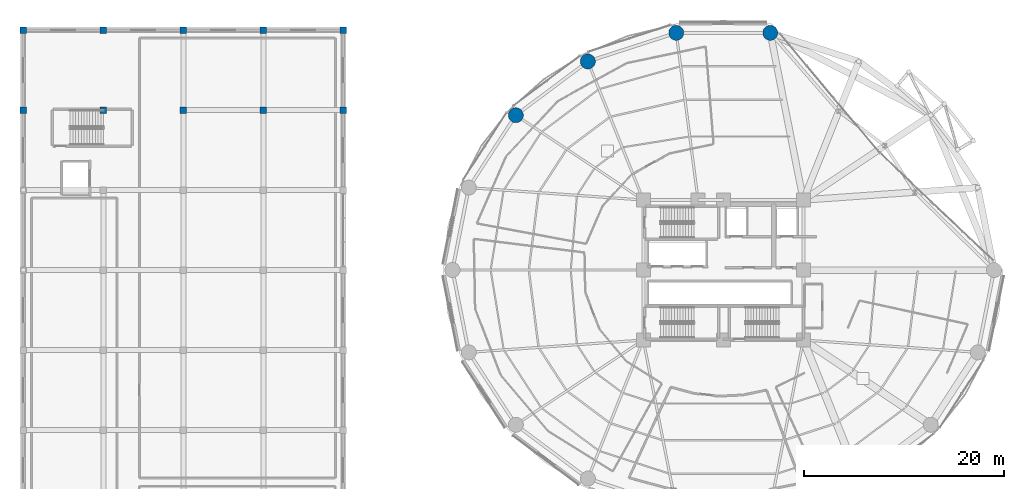
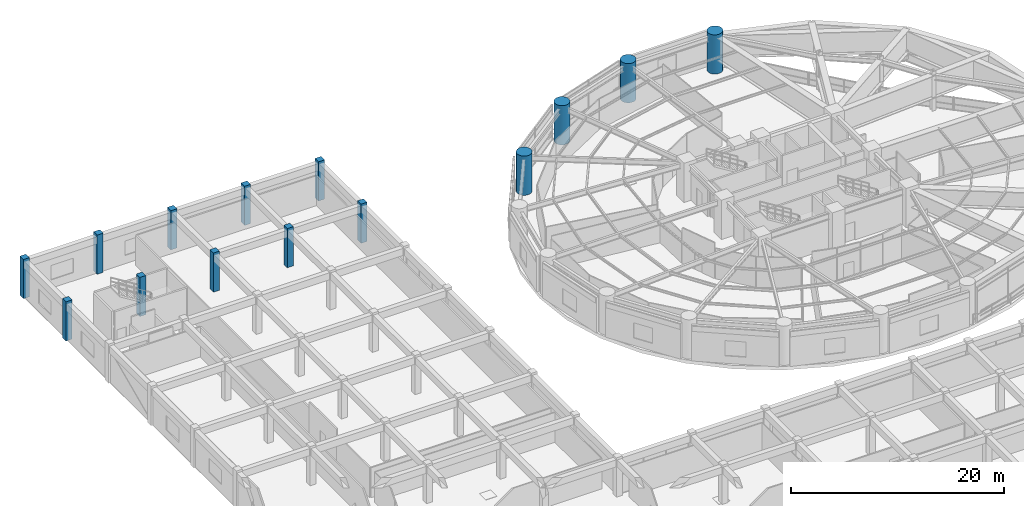
# One storey, part 3 of 52: 14 columns.
"""IFC4 building model written with IfcOpenShell, lengths in metres."""

import ifcopenshell
import ifcopenshell.guid

model = None  # the IFC model being written
_history = None  # IfcOwnerHistory: only IFC2X3 demands one
_inside = {}  # id of a spatial element -> (the spatial element, [elements in it])
_under = {}  # id of a project, library or spatial element -> (it, [spatial elements below it])
_declared = {}  # id of a project -> (the project, [libraries it declares])
_typed = {}  # id of a type object -> (the type object, [elements of that type])
_made_of = {}  # id of a material, layer set ... -> (it, [elements and type objects made of it])


def new_model(schema):
    """Start an empty IFC model of exactly this schema.

    Asked for "IFC4X3", IfcOpenShell would pick the latest addendum, in which some entities
    have other attributes; the version numbers below select the first issue.
    IFC2X3 requires an IfcOwnerHistory on every rooted entity: one is made here for all.
    """
    global model, _history
    if schema == "IFC4X3":
        model = ifcopenshell.file(schema_version=(4, 3, 0, 0))
    else:
        model = ifcopenshell.file(schema=schema)
    _inside.clear()
    _under.clear()
    _declared.clear()
    _typed.clear()
    _made_of.clear()
    _history = None
    if model.schema == "IFC2X3":
        org = make("IfcOrganization", Name="unknown")
        user = make(
            "IfcPersonAndOrganization",
            ThePerson=make("IfcPerson", FamilyName="unknown"),
            TheOrganization=org,
        )
        app = make(
            "IfcApplication",
            ApplicationDeveloper=org,
            Version="unknown",
            ApplicationFullName="unknown",
            ApplicationIdentifier="unknown",
        )
        _history = make(
            "IfcOwnerHistory",
            OwningUser=user,
            OwningApplication=app,
            ChangeAction="ADDED",
            CreationDate=0,
        )
    return model


def make(cls, **values):
    """One entity of the class cls with the attributes given. An attribute that is None is left unset."""
    return model.create_entity(
        cls, **{name: value for name, value in values.items() if value is not None}
    )


def rooted(cls, **values):
    """An entity with a GlobalId (a new one), such as an element, a storey or a relation."""
    return make(cls, GlobalId=ifcopenshell.guid.new(), OwnerHistory=_history, **values)


def si_unit(unit_type, name, prefix=None):
    """IfcSIUnit, for example si_unit("LENGTHUNIT", "METRE", prefix="MILLI")."""
    return make("IfcSIUnit", UnitType=unit_type, Prefix=prefix, Name=name)


def assignment(units):
    """IfcUnitAssignment: the units of a project."""
    return None if units is None else make("IfcUnitAssignment", Units=units)


def point(xyz):
    """IfcCartesianPoint."""
    return None if xyz is None else make("IfcCartesianPoint", Coordinates=xyz)


def direction(xyz):
    """IfcDirection."""
    return None if xyz is None else make("IfcDirection", DirectionRatios=xyz)


def frame(location, z_axis=None, x_axis=None):
    """IfcAxis2Placement3D, a coordinate frame: its origin and axes. An axis left out is left unset."""
    return make(
        "IfcAxis2Placement3D",
        Location=point(location),
        Axis=direction(z_axis),
        RefDirection=direction(x_axis),
    )


def frame_2d(location, x_axis=None):
    """IfcAxis2Placement2D, a coordinate frame in the plane: its origin and x axis."""
    return make(
        "IfcAxis2Placement2D", Location=point(location), RefDirection=direction(x_axis)
    )


def origin():
    """The frame at (0, 0, 0) with its axes left unset."""
    return frame((0.0, 0.0, 0.0))


def origin_2d():
    """The frame at (0, 0) in the plane with its x axis left unset."""
    return frame_2d((0.0, 0.0))


def place(relative_to, where):
    """IfcLocalPlacement: puts the frame where relative to a parent placement (None: the world)."""
    return make(
        "IfcLocalPlacement", PlacementRelTo=relative_to, RelativePlacement=where
    )


def context(
    kind, dimensions, precision=None, world=None, true_north=None, identifier=None
):
    """IfcGeometricRepresentationContext, for example the 3D "Model" context."""
    return make(
        "IfcGeometricRepresentationContext",
        ContextIdentifier=identifier,
        ContextType=kind,
        CoordinateSpaceDimension=dimensions,
        Precision=precision,
        WorldCoordinateSystem=world,
        TrueNorth=true_north,
    )


def subcontext(parent, identifier, kind, view, scale=None):
    """IfcGeometricRepresentationSubContext, for example "Body" below "Model"."""
    return make(
        "IfcGeometricRepresentationSubContext",
        ContextIdentifier=identifier,
        ContextType=kind,
        ParentContext=parent,
        TargetScale=scale,
        TargetView=view,
    )


def project(units=None, contexts=None):
    """IfcProject with its units and contexts."""
    return rooted(
        "IfcProject",
        Name="project",
        RepresentationContexts=contexts,
        UnitsInContext=assignment(units),
    )


def spatial(cls, under=None, at=None, **own):
    """A site, building, storey or space (cls), placed at a placement, below another one or the project."""
    s = rooted(cls, ObjectPlacement=at, **own)
    if under is not None:
        _under.setdefault(under.id(), (under, []))[1].append(s)
    return s


def profile(cls, at=None, kind="AREA", **sizes):
    """A parametric profile (cls). Its sizes go by their IFC names, for example OverallWidth=200.0."""
    return make(cls, ProfileType=kind, Position=at, **sizes)


def rectangle(**sizes):
    """IfcRectangleProfileDef."""
    return profile("IfcRectangleProfileDef", **sizes)


def circle(**sizes):
    """IfcCircleProfileDef."""
    return profile("IfcCircleProfileDef", **sizes)


def extrude(swept, where, along, depth):
    """IfcExtrudedAreaSolid: the profile swept, set in the frame where, extruded along a direction by depth."""
    return make(
        "IfcExtrudedAreaSolid",
        SweptArea=swept,
        Position=where,
        ExtrudedDirection=direction(along),
        Depth=depth,
    )


def shape(context_of_items, identifier, shape_type, items):
    """IfcShapeRepresentation: the items that make up one representation, for example the "Body"."""
    return make(
        "IfcShapeRepresentation",
        ContextOfItems=context_of_items,
        RepresentationIdentifier=identifier,
        RepresentationType=shape_type,
        Items=items,
    )


def material(Name=None, Category=None):
    """IfcMaterial."""
    return make("IfcMaterial", Name=Name, Category=Category)


def material_profile(
    of_material, cross_section, Name=None, Category=None, Priority=None
):
    """IfcMaterialProfile: a cross section and its material."""
    return make(
        "IfcMaterialProfile",
        Name=Name,
        Material=of_material,
        Profile=cross_section,
        Priority=Priority,
        Category=Category,
    )


def profile_set(profiles, Name=None, composite=None):
    """IfcMaterialProfileSet."""
    return make(
        "IfcMaterialProfileSet",
        Name=Name,
        MaterialProfiles=profiles,
        CompositeProfile=composite,
    )


def made_of(thing, what):
    """Note that an element or type object is made of a material, layer set ...; save() writes the relation."""
    if what is not None:
        _made_of.setdefault(what.id(), (what, []))[1].append(thing)
    return thing


def type_object(cls, material=None, **own):
    """A type object (cls), such as IfcWallType, which elements share."""
    return made_of(rooted(cls, **own), material)


def element(
    cls,
    number,
    at=None,
    inside=None,
    cuts=None,
    type_object=None,
    material=None,
    context=None,
    identifier="Body",
    shape_type=None,
    held_by="IfcProductDefinitionShape",
    body=None,
    shapes=None,
    **own,
):
    """One element of the class cls, such as IfcWall. Its Tag is "e" and its number.

    at: its placement. inside: the storey or other place that contains it. cuts: it is an
    opening in that element (IfcRelVoidsElement). A single representation is given by context,
    identifier, shape_type and body (its items); several are given by shapes. held_by: the class
    of the entity that holds the representations. save() writes the other relations.
    """
    e = rooted(cls, Tag="e%d" % number, ObjectPlacement=at, **own)
    if body is not None:
        shapes = [shape(context, identifier, shape_type, body)]
    if shapes is not None:
        e.Representation = make(held_by, Representations=shapes)
    if inside is not None:
        _inside.setdefault(inside.id(), (inside, []))[1].append(e)
    if cuts is not None:
        rooted(
            "IfcRelVoidsElement", RelatingBuildingElement=cuts, RelatedOpeningElement=e
        )
    if type_object is not None:
        _typed.setdefault(type_object.id(), (type_object, []))[1].append(e)
    return made_of(e, material)


def aggregate(whole, parts):
    """IfcRelAggregates: a whole, such as a stair, and the parts it consists of."""
    return rooted("IfcRelAggregates", RelatingObject=whole, RelatedObjects=parts)


def save(model, path):
    """Write the relations noted so far, then the file.

    IfcRelAggregates (storeys below a building ...), IfcRelContainedInSpatialStructure (elements
    in a storey), IfcRelDefinesByType, IfcRelAssociatesMaterial and IfcRelDeclares: one each for
    every whole, place, type object, material and project.
    """
    for whole, parts in _under.values():
        aggregate(whole, parts)
    for where, things in _inside.values():
        rooted(
            "IfcRelContainedInSpatialStructure",
            RelatedElements=things,
            RelatingStructure=where,
        )
    for kind, things in _typed.values():
        rooted("IfcRelDefinesByType", RelatedObjects=things, RelatingType=kind)
    for what, things in _made_of.values():
        rooted("IfcRelAssociatesMaterial", RelatedObjects=things, RelatingMaterial=what)
    for by, libraries in _declared.values():
        rooted("IfcRelDeclares", RelatingContext=by, RelatedDefinitions=libraries)
    model.write(path)


model = new_model("IFC4")

# Units and contexts
model_context = context("Model", 3, precision=1e-05, world=origin(), true_north=direction((0.0, 1.0)))
body_context = subcontext(model_context, "Body", "Model", "MODEL_VIEW")
ifc_project = project(units=[si_unit("LENGTHUNIT", "METRE"), si_unit("AREAUNIT", "SQUARE_METRE"), si_unit("VOLUMEUNIT", "CUBIC_METRE"), si_unit("PLANEANGLEUNIT", "RADIAN"), si_unit("MASSUNIT", "GRAM", prefix="KILO")], contexts=[model_context])

# Site, building, storey
site_placement = place(None, origin())
site = spatial("IfcSite", under=ifc_project, at=site_placement, CompositionType="ELEMENT")
building_placement = place(site_placement, origin())
building = spatial("IfcBuilding", under=site, at=building_placement, Name="Kelanora Arch Commons", CompositionType="ELEMENT")
storey_placement = place(building_placement, frame((0.0, 0.0, 13.5)))
storey = spatial("IfcBuildingStorey", under=building, at=storey_placement, Name="L03", CompositionType="ELEMENT", Elevation=13.5)

# Columns
ifc_material_1 = material(Name="Concrete C50/60", Category="concrete")
ifc_material_profile_1 = material_profile(ifc_material_1, rectangle(XDim=0.64990234375, YDim=0.64990234375, at=origin_2d()), Name="RC650x650")
ifc_profile_set_1 = profile_set([ifc_material_profile_1], Name="Concrete C50/60")
column_type_1 = type_object("IfcColumnType", Name="COL-MKT-UP", PredefinedType="COLUMN", material=ifc_profile_set_1)
for number, where, z_axis, x_axis, name in (
    (1, (4.0, 74.0, 0.0), (0.0, 0.0, 1.0), (1.0, 0.0, 0.0), "Market Hall Column 1-K L03"),
    (2, (4.0, 82.0, 0.0), (0.0, 0.0, 1.0), (1.0, 0.0, 0.0), "Market Hall Column 1-L L03"),
    (3, (12.0, 74.0, 0.0), (0.0, 0.0, 1.0), (1.0, 0.0, 0.0), "Market Hall Column 2-K L03"),
    (4, (12.0, 82.0, 0.0), (0.0, 0.0, 1.0), (1.0, 0.0, 0.0), "Market Hall Column 2-L L03"),
    (5, (20.0, 74.0, 0.0), (0.0, 0.0, 1.0), (1.0, 0.0, 0.0), "Market Hall Column 3-K L03"),
    (6, (20.0, 82.0, 0.0), (0.0, 0.0, 1.0), (1.0, 0.0, 0.0), "Market Hall Column 3-L L03"),
    (7, (28.0, 74.0, 0.0), (0.0, 0.0, 1.0), (1.0, 0.0, 0.0), "Market Hall Column 4-K L03"),
    (8, (28.0, 82.0, 0.0), (0.0, 0.0, 1.0), (1.0, 0.0, 0.0), "Market Hall Column 4-L L03"),
    (9, (36.0, 74.0, 0.0), (0.0, 0.0, 1.0), (1.0, 0.0, 0.0), "Market Hall Column 5-K L03"),
    (10, (36.0, 82.0, 0.0), (0.0, 0.0, 1.0), (1.0, 0.0, 0.0), "Market Hall Column 5-L L03"),
):
    element("IfcColumn", number, at=place(storey_placement, frame(where, z_axis=z_axis, x_axis=x_axis)), inside=storey, type_object=column_type_1, Name=name, PredefinedType="COLUMN", context=body_context, shape_type="SweptSolid", body=[
        extrude(rectangle(XDim=0.64990234375, YDim=0.64990234375, at=origin_2d()), origin(), (0.0, 0.0, 1.0), 4.5),
    ])
ifc_material_2 = material(Name="Concrete C60/75", Category="concrete")
ifc_material_profile_2 = material_profile(ifc_material_2, circle(Radius=0.75, at=origin_2d()), Name="RCC1500")
ifc_profile_set_2 = profile_set([ifc_material_profile_2], Name="Concrete C60/75")
column_type_2 = type_object("IfcColumnType", Name="COL-PERIM-Z1", PredefinedType="COLUMN", material=ifc_profile_set_2)
for number, where, z_axis, x_axis, name in (
    (11, (78.702392578125, 81.714111328125, 0.0), (0.0, 0.0, 1.0), (1.0, 0.0, 0.0), "Perimeter Ring Column CP-08 L03"),
    (12, (69.297607421875, 81.714111328125, 0.0), (0.0, 0.0, 1.0), (1.0, 0.0, 0.0), "Perimeter Ring Column CP-10 L03"),
    (13, (60.4599609375, 78.85400390625, 0.0), (0.0, 0.0, 1.0), (1.0, 0.0, 0.0), "Perimeter Ring Column CP-12 L03"),
    (14, (53.255615234375, 73.478271484375, 0.0), (0.0, 0.0, 1.0), (1.0, 0.0, 0.0), "Perimeter Ring Column CP-14 L03"),
):
    element("IfcColumn", number, at=place(storey_placement, frame(where, z_axis=z_axis, x_axis=x_axis)), inside=storey, type_object=column_type_2, Name=name, PredefinedType="COLUMN", context=body_context, shape_type="SweptSolid", body=[
        extrude(circle(Radius=0.75, at=origin_2d()), origin(), (0.0, 0.0, 1.0), 4.5),
    ])

save(model, "model.ifc")
